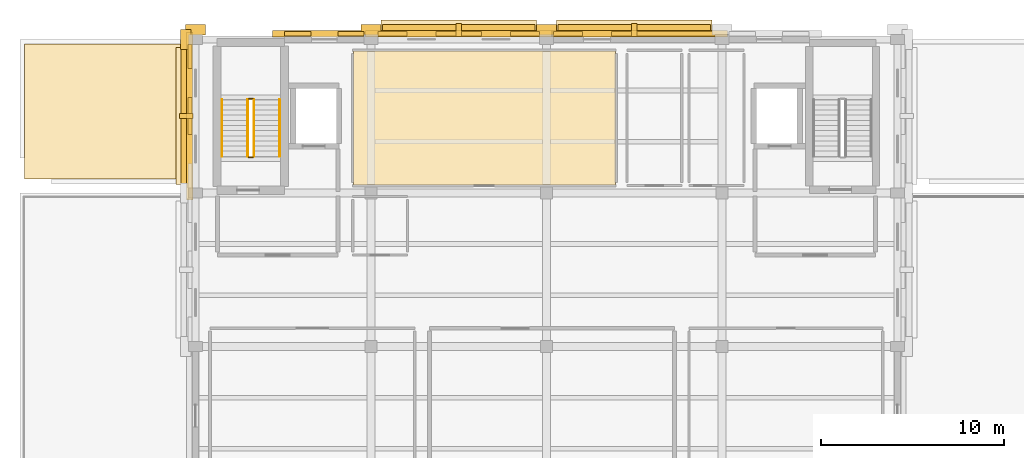
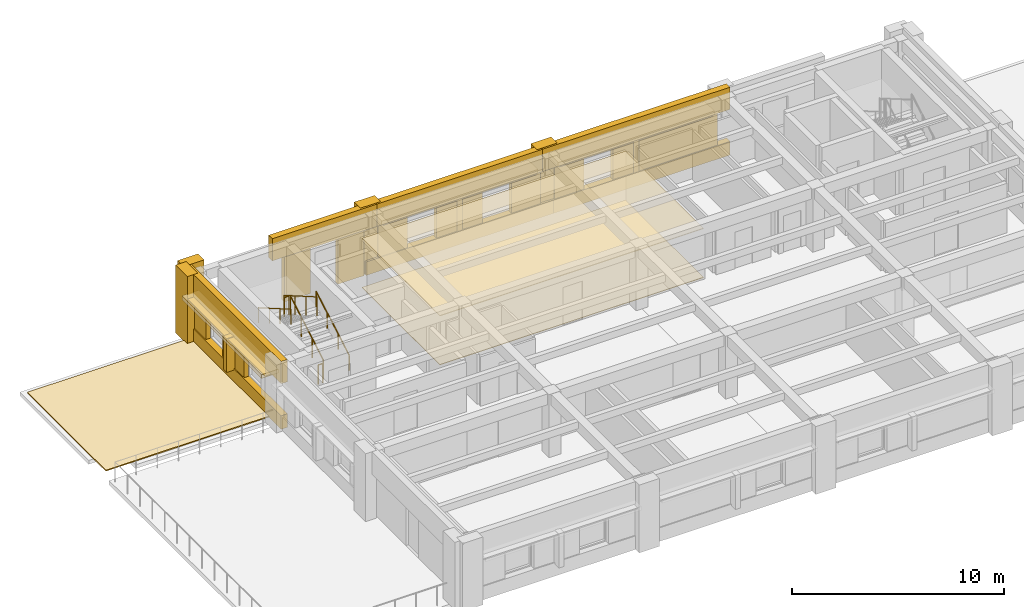
# One storey, part 6 of 7: 29 coverings, 6 railings, 3 shading devices.
"""IFC4 building model written with IfcOpenShell, lengths in metres."""

from ifc_helpers import new_model, si_unit, direction, frame, origin, origin_2d, place, context, subcontext, project, spatial, polyline, rectangle, circle, outline, extrude, material, layer, layer_set, type_object, element, save


model = new_model("IFC4")

# Units and contexts
model_context = context("Model", 3, precision=1e-05, world=origin(), true_north=direction((0.0, 1.0)))
body_context = subcontext(model_context, "Body", "Model", "MODEL_VIEW")
ifc_project = project(units=[si_unit("LENGTHUNIT", "METRE"), si_unit("AREAUNIT", "SQUARE_METRE"), si_unit("VOLUMEUNIT", "CUBIC_METRE"), si_unit("PLANEANGLEUNIT", "RADIAN"), si_unit("MASSUNIT", "GRAM", prefix="KILO")], contexts=[model_context])

# Site, building, storey
site_placement = place(None, origin())
site = spatial("IfcSite", under=ifc_project, at=site_placement, CompositionType="ELEMENT")
building_placement = place(site_placement, origin())
building = spatial("IfcBuilding", under=site, at=building_placement, Name="Bempovik Park Faculty of Sciences", CompositionType="ELEMENT")
storey_placement = place(building_placement, frame((0.0, 0.0, 38.39990234375)))
storey = spatial("IfcBuildingStorey", under=building, at=storey_placement, Name="L09", CompositionType="ELEMENT", Elevation=38.39990234375)

# Coverings
ifc_material_1 = material(Name="Acoustic mineral ceiling tile")
ifc_layer_1 = layer(ifc_material_1, 0.0400390625)
ifc_layer_set_1 = layer_set([ifc_layer_1], Name="Acoustic mineral ceiling tile")
covering_type_1 = type_object("IfcCoveringType", Name="CE-01 Acoustic Ceiling 40mm", PredefinedType="CEILING", material=ifc_layer_set_1)
covering_1_placement = place(storey_placement, frame((0.0, 0.0, 2.81005859375)))
element("IfcCovering", 1, at=covering_1_placement, inside=storey, type_object=covering_type_1, Name="L09 Energy Systems Seminar Room Acoustic Ceiling", PredefinedType="CEILING", context=body_context, shape_type="SweptSolid", body=[
    extrude(outline(polyline([(78.22998046875, 111.429931640625), (92.570068359375, 111.429931640625), (92.570068359375, 118.77001953125), (78.22998046875, 118.77001953125), (78.22998046875, 111.429931640625)])), origin(), (0.0, 0.0, 1.0), 0.0400390625),
])
ifc_material_2 = material(Name="Precast concrete C40/50", Category="concrete")
ifc_layer_2 = layer(ifc_material_2, 0.179931640625)
ifc_layer_set_2 = layer_set([ifc_layer_2], Name="Precast concrete C40/50")
covering_type_2 = type_object("IfcCoveringType", Name="CL-02 Classical Cornice Band 180mm", PredefinedType="CLADDING", material=ifc_layer_set_2)
for number, where, z_axis, x_axis, name in (
    (2, (84.0, 120.0, 2.6103515625), (0.0, 0.0, 1.0), (1.0, 0.0, 0.0), "L09 Classical Stone Solar Window Hood EW-L09-11036"),
    (3, (93.60009765625, 120.0, 2.6103515625), (0.0, 0.0, 1.0), (1.0, 0.0, 0.0), "L09 Classical Stone Solar Window Hood EW-L09-11048"),
):
    element("IfcCovering", number, at=place(storey_placement, frame(where, z_axis=z_axis, x_axis=x_axis)), inside=storey, type_object=covering_type_2, Name=name, PredefinedType="CLADDING", context=body_context, shape_type="SweptSolid", body=[
        extrude(rectangle(XDim=8.49609375, YDim=0.919921875, at=origin_2d()), origin(), (0.0, 0.0, 1.0), 0.219970703125),
    ])
covering_2_placement = place(storey_placement, frame((69.0, 115.199951171875, 2.6103515625), z_axis=(0.0, 0.0, 1.0), x_axis=(1.0, 0.0, 0.0)))
element("IfcCovering", 4, at=covering_2_placement, inside=storey, type_object=covering_type_2, Name="L09 Classical Stone Solar Window Hood EW-L09-11080", PredefinedType="CLADDING", context=body_context, shape_type="SweptSolid", body=[
    extrude(rectangle(XDim=0.919921875, YDim=7.49609375, at=origin_2d()), origin(), (0.0, 0.0, 1.0), 0.219970703125),
])
ifc_material_3 = material(Name="White reconstituted limestone precast C40/50", Category="masonry")
ifc_layer_3 = layer(ifc_material_3, 0.239990234375)
ifc_layer_set_3 = layer_set([ifc_layer_3], Name="White reconstituted limestone precast C40/50")
covering_type_3 = type_object("IfcCoveringType", Name="CL-03 Classical Fluted Limestone Pilaster 240mm", PredefinedType="CLADDING", material=ifc_layer_set_3)
covering_3_placement = place(storey_placement, frame((76.6494140625, 119.7099609375, 2.6201171875), z_axis=(0.0, 0.0, 1.0), x_axis=(1.0, 0.0, 0.0)))
element("IfcCovering", 5, at=covering_3_placement, inside=storey, type_object=covering_type_3, Name="L09 Classical Limestone Spandrel Entablature EW-L09-11029", PredefinedType="CLADDING", context=body_context, shape_type="SweptSolid", body=[
    extrude(rectangle(XDim=5.697021484375, YDim=0.340087890625, at=origin_2d()), origin(), (0.0, 0.0, 1.0), 1.280029296875),
])
for number, where, z_axis, x_axis, name in (
    (6, (69.60009765625, 119.929931640625, 0.000244140625), (0.0, 0.0, 1.0), (1.0, 0.0, 0.0), "L09 Classical Fluted Stone Pilaster PIL-BA-L09-696-1199"),
    (7, (79.199951171875, 119.929931640625, 0.000244140625), (0.0, 0.0, 1.0), (1.0, 0.0, 0.0), "L09 Classical Fluted Stone Pilaster PIL-BA-L09-792-1199"),
):
    element("IfcCovering", number, at=place(storey_placement, frame(where, z_axis=z_axis, x_axis=x_axis)), inside=storey, type_object=covering_type_3, Name=name, PredefinedType="CLADDING", context=body_context, shape_type="SweptSolid", body=[
        extrude(rectangle(XDim=1.10009765625, YDim=0.580078125, at=origin_2d()), origin(), (0.0, 0.0, 1.0), 3.89990234375),
    ])
for number, where, z_axis, x_axis, name in (
    (8, (75.19287109375, 119.699951171875, 0.0), (0.0, 0.0, 1.0), (1.0, 0.0, 0.0), "L09 Stairwell White Limestone Cheek EW-L09-11029-1"),
    (9, (78.106201171875, 119.699951171875, 0.0), (0.0, 0.0, 1.0), (1.0, 0.0, 0.0), "L09 Stairwell White Limestone Cheek EW-L09-11029-2"),
):
    element("IfcCovering", number, at=place(storey_placement, frame(where, z_axis=z_axis, x_axis=x_axis)), inside=storey, type_object=covering_type_3, Name=name, PredefinedType="CLADDING", context=body_context, shape_type="SweptSolid", body=[
        extrude(rectangle(XDim=1.43359375, YDim=0.239990234375, at=origin_2d()), origin(), (0.0, 0.0, 1.0), 2.780029296875),
    ])
covering_4_placement = place(storey_placement, frame((84.0, 119.7099609375, 2.6201171875), z_axis=(0.0, 0.0, 1.0), x_axis=(1.0, 0.0, 0.0)))
element("IfcCovering", 10, at=covering_4_placement, inside=storey, type_object=covering_type_3, Name="L09 Classical Limestone Spandrel Entablature EW-L09-11036", PredefinedType="CLADDING", context=body_context, shape_type="SweptSolid", body=[
    extrude(rectangle(XDim=10.196044921875, YDim=0.340087890625, at=origin_2d()), origin(), (0.0, 0.0, 1.0), 1.280029296875),
])
covering_5_placement = place(storey_placement, frame((84.0, 119.7099609375, 0.0), z_axis=(0.0, 0.0, 1.0), x_axis=(1.0, 0.0, 0.0)))
element("IfcCovering", 11, at=covering_5_placement, inside=storey, type_object=covering_type_3, Name="L09 Classical Limestone Sill Dado EW-L09-11036", PredefinedType="CLADDING", context=body_context, shape_type="SweptSolid", body=[
    extrude(rectangle(XDim=10.196044921875, YDim=0.340087890625, at=origin_2d()), origin(), (0.0, 0.0, 1.0), 0.780029296875),
])
covering_6_placement = place(storey_placement, frame((88.800048828125, 119.929931640625, 0.000244140625), z_axis=(0.0, 0.0, 1.0), x_axis=(1.0, 0.0, 0.0)))
element("IfcCovering", 12, at=covering_6_placement, inside=storey, type_object=covering_type_3, Name="L09 Classical Fluted Stone Pilaster PIL-BA-L09-888-1199", PredefinedType="CLADDING", context=body_context, shape_type="SweptSolid", body=[
    extrude(rectangle(XDim=1.10009765625, YDim=0.580078125, at=origin_2d()), origin(), (0.0, 0.0, 1.0), 3.89990234375),
])
covering_7_placement = place(storey_placement, frame((80.376220703125, 119.699951171875, 0.0), z_axis=(0.0, 0.0, 1.0), x_axis=(1.0, 0.0, 0.0)))
element("IfcCovering", 13, at=covering_7_placement, inside=storey, type_object=covering_type_3, Name="L09 White Limestone Wall Cheek EW-L09-11036-0", PredefinedType="CLADDING", context=body_context, shape_type="SweptSolid", body=[
    extrude(rectangle(XDim=1.598388671875, YDim=0.239990234375, at=origin_2d()), origin(), (0.0, 0.0, 1.0), 2.780029296875),
])
covering_8_placement = place(storey_placement, frame((84.0, 119.699951171875, 0.0), z_axis=(0.0, 0.0, 1.0), x_axis=(1.0, 0.0, 0.0)))
element("IfcCovering", 14, at=covering_8_placement, inside=storey, type_object=covering_type_3, Name="L09 White Limestone Wall Cheek EW-L09-11036-2", PredefinedType="CLADDING", context=body_context, shape_type="SweptSolid", body=[
    extrude(rectangle(XDim=2.4892578125, YDim=0.239990234375, at=origin_2d()), origin(), (0.0, 0.0, 1.0), 2.780029296875),
])
covering_9_placement = place(storey_placement, frame((87.623779296875, 119.699951171875, 0.0), z_axis=(0.0, 0.0, 1.0), x_axis=(1.0, 0.0, 0.0)))
element("IfcCovering", 15, at=covering_9_placement, inside=storey, type_object=covering_type_3, Name="L09 White Limestone Wall Cheek EW-L09-11036-4", PredefinedType="CLADDING", context=body_context, shape_type="SweptSolid", body=[
    extrude(rectangle(XDim=1.598388671875, YDim=0.239990234375, at=origin_2d()), origin(), (0.0, 0.0, 1.0), 2.780029296875),
])
covering_10_placement = place(storey_placement, frame((84.0, 119.909912109375, 0.7001953125), z_axis=(0.0, 0.0, 1.0), x_axis=(1.0, 0.0, 0.0)))
element("IfcCovering", 16, at=covering_10_placement, inside=storey, type_object=covering_type_3, Name="L09 Classical Vertical Stone Shading Fin EW-L09-11036", PredefinedType="CLADDING", context=body_context, shape_type="SweptSolid", body=[
    extrude(rectangle(XDim=0.280029296875, YDim=0.719970703125, at=origin_2d()), origin(), (0.0, 0.0, 1.0), 1.949951171875),
])
covering_11_placement = place(storey_placement, frame((93.60009765625, 119.7099609375, 2.6201171875), z_axis=(0.0, 0.0, 1.0), x_axis=(1.0, 0.0, 0.0)))
element("IfcCovering", 17, at=covering_11_placement, inside=storey, type_object=covering_type_3, Name="L09 Classical Limestone Spandrel Entablature EW-L09-11048", PredefinedType="CLADDING", context=body_context, shape_type="SweptSolid", body=[
    extrude(rectangle(XDim=10.196044921875, YDim=0.340087890625, at=origin_2d()), origin(), (0.0, 0.0, 1.0), 1.280029296875),
])
covering_12_placement = place(storey_placement, frame((93.60009765625, 119.7099609375, 0.0), z_axis=(0.0, 0.0, 1.0), x_axis=(1.0, 0.0, 0.0)))
element("IfcCovering", 18, at=covering_12_placement, inside=storey, type_object=covering_type_3, Name="L09 Classical Limestone Sill Dado EW-L09-11048", PredefinedType="CLADDING", context=body_context, shape_type="SweptSolid", body=[
    extrude(rectangle(XDim=10.196044921875, YDim=0.340087890625, at=origin_2d()), origin(), (0.0, 0.0, 1.0), 0.780029296875),
])
covering_13_placement = place(storey_placement, frame((89.976318359375, 119.699951171875, 0.0), z_axis=(0.0, 0.0, 1.0), x_axis=(1.0, 0.0, 0.0)))
element("IfcCovering", 19, at=covering_13_placement, inside=storey, type_object=covering_type_3, Name="L09 White Limestone Wall Cheek EW-L09-11048-0", PredefinedType="CLADDING", context=body_context, shape_type="SweptSolid", body=[
    extrude(rectangle(XDim=1.598388671875, YDim=0.239990234375, at=origin_2d()), origin(), (0.0, 0.0, 1.0), 2.780029296875),
])
covering_14_placement = place(storey_placement, frame((95.189208984375, 119.699951171875, 0.0), z_axis=(0.0, 0.0, 1.0), x_axis=(1.0, 0.0, 0.0)))
element("IfcCovering", 20, at=covering_14_placement, inside=storey, type_object=covering_type_3, Name="L09 White Limestone Wall Cheek EW-L09-11048-2", PredefinedType="CLADDING", context=body_context, shape_type="SweptSolid", body=[
    extrude(rectangle(XDim=5.66748046875, YDim=0.239990234375, at=origin_2d()), origin(), (0.0, 0.0, 1.0), 2.780029296875),
])
covering_15_placement = place(storey_placement, frame((93.60009765625, 119.909912109375, 0.7001953125), z_axis=(0.0, 0.0, 1.0), x_axis=(1.0, 0.0, 0.0)))
element("IfcCovering", 21, at=covering_15_placement, inside=storey, type_object=covering_type_3, Name="L09 Classical Vertical Stone Shading Fin EW-L09-11048", PredefinedType="CLADDING", context=body_context, shape_type="SweptSolid", body=[
    extrude(rectangle(XDim=0.280029296875, YDim=0.719970703125, at=origin_2d()), origin(), (0.0, 0.0, 1.0), 1.949951171875),
])
covering_16_placement = place(storey_placement, frame((69.2900390625, 115.199951171875, 2.6201171875), z_axis=(0.0, 0.0, 1.0), x_axis=(1.0, 0.0, 0.0)))
element("IfcCovering", 22, at=covering_16_placement, inside=storey, type_object=covering_type_3, Name="L09 Classical Limestone Spandrel Entablature EW-L09-11080", PredefinedType="CLADDING", context=body_context, shape_type="SweptSolid", body=[
    extrude(rectangle(XDim=0.340087890625, YDim=9.196044921875, at=origin_2d()), origin(), (0.0, 0.0, 1.0), 1.280029296875),
])
covering_17_placement = place(storey_placement, frame((69.2900390625, 115.199951171875, 0.0), z_axis=(0.0, 0.0, 1.0), x_axis=(1.0, 0.0, 0.0)))
element("IfcCovering", 23, at=covering_17_placement, inside=storey, type_object=covering_type_3, Name="L09 Classical Limestone Sill Dado EW-L09-11080", PredefinedType="CLADDING", context=body_context, shape_type="SweptSolid", body=[
    extrude(rectangle(XDim=0.340087890625, YDim=9.196044921875, at=origin_2d()), origin(), (0.0, 0.0, 1.0), 0.780029296875),
])
covering_18_placement = place(storey_placement, frame((69.070068359375, 119.39990234375, 0.000244140625), z_axis=(0.0, 0.0, 1.0), x_axis=(1.0, 0.0, 0.0)))
element("IfcCovering", 24, at=covering_18_placement, inside=storey, type_object=covering_type_3, Name="L09 Classical Fluted Stone Pilaster PIL-BA-L09-691-1194", PredefinedType="CLADDING", context=body_context, shape_type="SweptSolid", body=[
    extrude(rectangle(XDim=0.580078125, YDim=1.10009765625, at=origin_2d()), origin(), (0.0, 0.0, 1.0), 3.89990234375),
])
covering_19_placement = place(storey_placement, frame((69.300048828125, 115.199951171875, 0.0), z_axis=(0.0, 0.0, 1.0), x_axis=(1.0, 0.0, 0.0)))
element("IfcCovering", 25, at=covering_19_placement, inside=storey, type_object=covering_type_3, Name="L09 White Limestone Wall Cheek EW-L09-11080-2", PredefinedType="CLADDING", context=body_context, shape_type="SweptSolid", body=[
    extrude(rectangle(XDim=0.239990234375, YDim=2.029296875, at=origin_2d()), origin(), (0.0, 0.0, 1.0), 2.780029296875),
])
covering_20_placement = place(storey_placement, frame((69.300048828125, 118.458740234375, 0.0), z_axis=(0.0, 0.0, 1.0), x_axis=(1.0, 0.0, 0.0)))
element("IfcCovering", 26, at=covering_20_placement, inside=storey, type_object=covering_type_3, Name="L09 White Limestone Wall Cheek EW-L09-11080-4", PredefinedType="CLADDING", context=body_context, shape_type="SweptSolid", body=[
    extrude(rectangle(XDim=0.239990234375, YDim=1.328369140625, at=origin_2d()), origin(), (0.0, 0.0, 1.0), 2.780029296875),
])
covering_21_placement = place(storey_placement, frame((69.090087890625, 115.199951171875, 0.7001953125), z_axis=(0.0, 0.0, 1.0), x_axis=(1.0, 0.0, 0.0)))
element("IfcCovering", 27, at=covering_21_placement, inside=storey, type_object=covering_type_3, Name="L09 Classical Vertical Stone Shading Fin EW-L09-11080", PredefinedType="CLADDING", context=body_context, shape_type="SweptSolid", body=[
    extrude(rectangle(XDim=0.719970703125, YDim=0.280029296875, at=origin_2d()), origin(), (0.0, 0.0, 1.0), 1.949951171875),
])
ifc_material_4 = material(Name="Polished mineral terrazzo flooring")
ifc_layer_4 = layer(ifc_material_4, 0.030029296875)
ifc_layer_set_4 = layer_set([ifc_layer_4], Name="Polished mineral terrazzo flooring")
covering_type_4 = type_object("IfcCoveringType", Name="FL-01 Terrazzo Flooring 30mm", PredefinedType="FLOORING", material=ifc_layer_set_4)
covering_22_placement = place(storey_placement, origin())
element("IfcCovering", 28, at=covering_22_placement, inside=storey, type_object=covering_type_4, Name="L09 Energy Systems Seminar Room Terrazzo Flooring", PredefinedType="FLOORING", context=body_context, shape_type="SweptSolid", body=[
    extrude(outline(polyline([(78.22998046875, 111.429931640625), (92.570068359375, 111.429931640625), (92.570068359375, 118.77001953125), (78.22998046875, 118.77001953125), (78.22998046875, 111.429931640625)])), origin(), (0.0, 0.0, 1.0), 0.030029296875),
])

# Railings
ifc_material_5 = material(Name="Anodised architectural bronze")
railing_type_1 = type_object("IfcRailingType", Name="GR-01 Guardrail 1120mm", PredefinedType="GUARDRAIL", material=ifc_material_5)
railing_1_placement = place(storey_placement, frame((72.800048828125, 113.0, 0.16259765625)))
element("IfcRailing", 29, at=railing_1_placement, inside=storey, type_object=railing_type_1, Name="L09 ST-1 Stair Guard 1", PredefinedType="GUARDRAIL", context=body_context, shape_type="SweptSolid", body=[
    extrude(circle(Radius=0.02392578125, at=origin_2d()), frame((0.0, 0.0, 1.09619140625), z_axis=(0.0, 0.865853233856, 0.500298088565), x_axis=(-1.0, 0.0, 0.0)), (0.0, 0.0, 1.0), 3.572998046875),
    extrude(circle(Radius=0.02099609375, at=origin_2d()), origin(), (0.0, 0.0, 1.0), 1.072021484375),
    extrude(circle(Radius=0.02099609375, at=origin_2d()), frame((0.0, 1.03125, 0.595947265625)), (0.0, 0.0, 1.0), 1.072021484375),
    extrude(circle(Radius=0.02099609375, at=origin_2d()), frame((0.0, 2.0625, 1.191650390625)), (0.0, 0.0, 1.0), 1.072021484375),
    extrude(circle(Radius=0.02099609375, at=origin_2d()), frame((0.0, 3.09375, 1.78759765625)), (0.0, 0.0, 1.0), 1.072021484375),
])
railing_2_placement = place(storey_placement, frame((72.75, 116.143798828125, 1.9501953125)))
element("IfcRailing", 30, at=railing_2_placement, inside=storey, type_object=railing_type_1, Name="L09 ST-1 Stair Guard 2", PredefinedType="GUARDRAIL", context=body_context, shape_type="SweptSolid", body=[
    extrude(circle(Radius=0.02392578125, at=origin_2d()), frame((0.0, 0.0, 1.09619140625), z_axis=(-1.0, 0.0, 0.0), x_axis=(0.0, -1.0, 0.0)), (0.0, 0.0, 1.0), 0.25),
    extrude(circle(Radius=0.02099609375, at=origin_2d()), origin(), (0.0, 0.0, 1.0), 1.072021484375),
    extrude(circle(Radius=0.02099609375, at=origin_2d()), frame((-0.25, 0.0, 0.0)), (0.0, 0.0, 1.0), 1.072021484375),
])
railing_3_placement = place(storey_placement, frame((72.449951171875, 116.09375, 2.112548828125)))
element("IfcRailing", 31, at=railing_3_placement, inside=storey, type_object=railing_type_1, Name="L09 ST-1 Stair Guard 3", PredefinedType="GUARDRAIL", context=body_context, shape_type="SweptSolid", body=[
    extrude(circle(Radius=0.02392578125, at=origin_2d()), frame((0.0, 0.0, 1.09619140625), z_axis=(0.0, -0.865853233856, 0.500298088565), x_axis=(1.0, 0.0, 0.0)), (0.0, 0.0, 1.0), 3.572998046875),
    extrude(circle(Radius=0.02099609375, at=origin_2d()), origin(), (0.0, 0.0, 1.0), 1.072021484375),
    extrude(circle(Radius=0.02099609375, at=origin_2d()), frame((0.0, -1.03125, 0.595947265625)), (0.0, 0.0, 1.0), 1.072021484375),
    extrude(circle(Radius=0.02099609375, at=origin_2d()), frame((0.0, -2.0625, 1.191650390625)), (0.0, 0.0, 1.0), 1.072021484375),
    extrude(circle(Radius=0.02099609375, at=origin_2d()), frame((0.0, -3.09375, 1.78759765625)), (0.0, 0.0, 1.0), 1.072021484375),
])
railing_4_placement = place(storey_placement, frame((72.75, 112.949951171875, 0.0)))
element("IfcRailing", 32, at=railing_4_placement, inside=storey, type_object=railing_type_1, Name="L09 ST-1 Stair Guard 4", PredefinedType="GUARDRAIL", context=body_context, shape_type="SweptSolid", body=[
    extrude(circle(Radius=0.02392578125, at=origin_2d()), frame((0.0, 0.0, 1.09619140625), z_axis=(-1.0, 0.0, 0.0), x_axis=(0.0, -1.0, 0.0)), (0.0, 0.0, 1.0), 0.25),
    extrude(circle(Radius=0.02099609375, at=origin_2d()), origin(), (0.0, 0.0, 1.0), 1.072021484375),
    extrude(circle(Radius=0.02099609375, at=origin_2d()), frame((-0.25, 0.0, 0.0)), (0.0, 0.0, 1.0), 1.072021484375),
])
railing_type_2 = type_object("IfcRailingType", Name="HR-01 Wall Handrail 900mm", PredefinedType="HANDRAIL", material=ifc_material_5)
railing_5_placement = place(storey_placement, frame((74.199951171875, 113.0, 0.16259765625)))
element("IfcRailing", 33, at=railing_5_placement, inside=storey, type_object=railing_type_2, Name="L09 ST-1 Stair Handrail 1", PredefinedType="HANDRAIL", context=body_context, shape_type="SweptSolid", body=[
    extrude(circle(Radius=0.02392578125, at=origin_2d()), frame((0.0, 0.0, 0.8759765625), z_axis=(0.0, 0.865853233856, 0.500298088565), x_axis=(-1.0, 0.0, 0.0)), (0.0, 0.0, 1.0), 3.572998046875),
    extrude(circle(Radius=0.02099609375, at=origin_2d()), origin(), (0.0, 0.0, 1.0), 0.851806640625),
    extrude(circle(Radius=0.02099609375, at=origin_2d()), frame((0.0, 1.03125, 0.595947265625)), (0.0, 0.0, 1.0), 0.851806640625),
    extrude(circle(Radius=0.02099609375, at=origin_2d()), frame((0.0, 2.0625, 1.191650390625)), (0.0, 0.0, 1.0), 0.851806640625),
    extrude(circle(Radius=0.02099609375, at=origin_2d()), frame((0.0, 3.09375, 1.78759765625)), (0.0, 0.0, 1.0), 0.851806640625),
])
railing_6_placement = place(storey_placement, frame((71.050048828125, 116.09375, 2.112548828125)))
element("IfcRailing", 34, at=railing_6_placement, inside=storey, type_object=railing_type_2, Name="L09 ST-1 Stair Handrail 2", PredefinedType="HANDRAIL", context=body_context, shape_type="SweptSolid", body=[
    extrude(circle(Radius=0.02392578125, at=origin_2d()), frame((0.0, 0.0, 0.8759765625), z_axis=(0.0, -0.865853233856, 0.500298088565), x_axis=(1.0, 0.0, 0.0)), (0.0, 0.0, 1.0), 3.572998046875),
    extrude(circle(Radius=0.02099609375, at=origin_2d()), origin(), (0.0, 0.0, 1.0), 0.851806640625),
    extrude(circle(Radius=0.02099609375, at=origin_2d()), frame((0.0, -1.03125, 0.595947265625)), (0.0, 0.0, 1.0), 0.851806640625),
    extrude(circle(Radius=0.02099609375, at=origin_2d()), frame((0.0, -2.0625, 1.191650390625)), (0.0, 0.0, 1.0), 0.851806640625),
    extrude(circle(Radius=0.02099609375, at=origin_2d()), frame((0.0, -3.09375, 1.78759765625)), (0.0, 0.0, 1.0), 0.851806640625),
])

# Covering
ifc_material_6 = material(Name="Insulated cool-roof membrane")
ifc_layer_5 = layer(ifc_material_6, 0.06005859375)
ifc_layer_set_5 = layer_set([ifc_layer_5], Name="Insulated cool-roof membrane")
covering_type_5 = type_object("IfcCoveringType", Name="RF-01 Cool Roof Membrane 60mm", PredefinedType="ROOFING", material=ifc_layer_set_5)
covering_23_placement = place(storey_placement, origin())
element("IfcCovering", 35, at=covering_23_placement, inside=storey, type_object=covering_type_5, Name="Cool-Roof Membrane RF-V5-N9W", PredefinedType="ROOFING", context=body_context, shape_type="SweptSolid", body=[
    extrude(outline(polyline([(60.25, 111.75), (69.35009765625, 111.75), (69.35009765625, 119.14990234375), (60.25, 119.14990234375), (60.25, 111.75)])), origin(), (0.0, 0.0, 1.0), 0.06005859375),
])

# Shading devices
ifc_layer_6 = layer(ifc_material_5, 0.06005859375)
ifc_layer_set_6 = layer_set([ifc_layer_6], Name="Anodised architectural bronze")
shading_device_type = type_object("IfcShadingDeviceType", Name="SH-01 Bronze Brise-Soleil Fin", PredefinedType="USERDEFINED", material=ifc_layer_set_6)
for number, where, z_axis, x_axis, name in (
    (36, (84.0, 119.8798828125, 2.550048828125), (0.0, 0.0, 1.0), (1.0, 0.0, 0.0), "L09 Equatorial Bronze Brise-Soleil EW-L09-11036"),
    (37, (93.60009765625, 119.8798828125, 2.550048828125), (0.0, 0.0, 1.0), (1.0, 0.0, 0.0), "L09 Equatorial Bronze Brise-Soleil EW-L09-11048"),
):
    element("IfcShadingDevice", number, at=place(storey_placement, frame(where, z_axis=z_axis, x_axis=x_axis)), inside=storey, type_object=shading_device_type, Name=name, ObjectType="BRISE SOLEIL", PredefinedType="USERDEFINED", context=body_context, shape_type="SweptSolid", body=[
        extrude(rectangle(XDim=8.345947265625, YDim=0.64990234375, at=origin_2d()), origin(), (0.0, 0.0, 1.0), 0.06005859375),
    ])
shading_device_placement = place(storey_placement, frame((69.1201171875, 115.199951171875, 2.550048828125), z_axis=(0.0, 0.0, 1.0), x_axis=(1.0, 0.0, 0.0)))
element("IfcShadingDevice", 38, at=shading_device_placement, inside=storey, type_object=shading_device_type, Name="L09 Equatorial Bronze Brise-Soleil EW-L09-11080", ObjectType="BRISE SOLEIL", PredefinedType="USERDEFINED", context=body_context, shape_type="SweptSolid", body=[
    extrude(rectangle(XDim=0.64990234375, YDim=7.345947265625, at=origin_2d()), origin(), (0.0, 0.0, 1.0), 0.06005859375),
])

save(model, "model.ifc")
